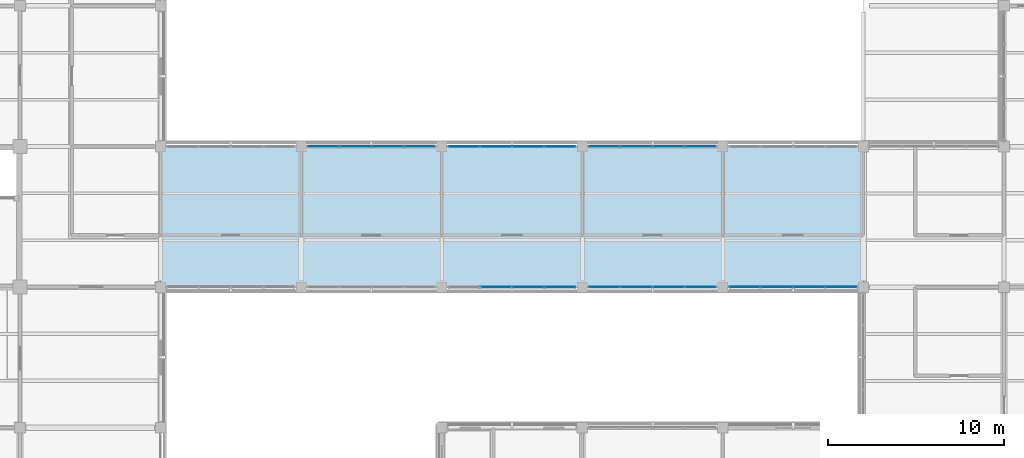
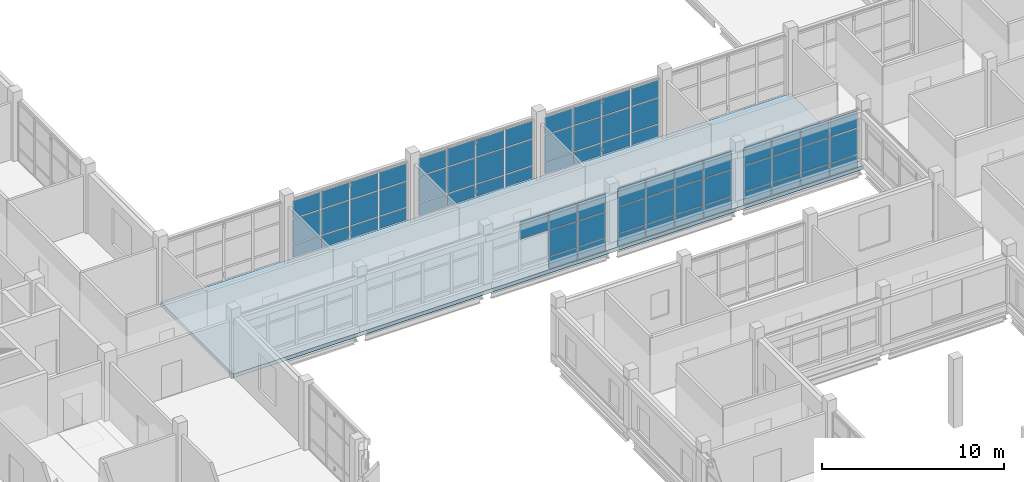
# One storey, part 70 of 121: 67 plates, 1 slab, 6 elements without a shape of their own.
"""IFC4 building model written with IfcOpenShell, lengths in metres."""

from ifc_helpers import new_model, si_unit, derived_unit, direction, frame, origin, origin_2d, place, context, subcontext, project, spatial, polyline, rectangle, outline, extrude, material, layer, layer_set, type_object, element, aggregate, save


model = new_model("IFC4")

# Units and contexts
model_context = context("Model", 3, precision=1e-05, world=origin(), true_north=direction((0.0, 1.0)))
body_context = subcontext(model_context, "Body", "Model", "MODEL_VIEW")
ifc_project = project(units=[si_unit("LENGTHUNIT", "METRE"), si_unit("AREAUNIT", "SQUARE_METRE"), si_unit("VOLUMEUNIT", "CUBIC_METRE"), si_unit("PLANEANGLEUNIT", "RADIAN"), si_unit("MASSUNIT", "GRAM", prefix="KILO"), derived_unit("THERMALTRANSMITTANCEUNIT", [(si_unit("MASSUNIT", "GRAM", prefix="KILO"), 1), (si_unit("TIMEUNIT", "SECOND"), -3), (si_unit("THERMODYNAMICTEMPERATUREUNIT", "KELVIN"), -1)])], contexts=[model_context])

# Site, building, storey
site_placement = place(None, origin())
site = spatial("IfcSite", under=ifc_project, at=site_placement, CompositionType="ELEMENT")
building_placement = place(site_placement, origin())
building = spatial("IfcBuilding", under=site, at=building_placement, Name="Veyamyaing Civic Hall", CompositionType="ELEMENT")
storey_placement = place(building_placement, frame((0.0, 0.0, 5.280029296875)))
storey = spatial("IfcBuildingStorey", under=building, at=storey_placement, Name="L01", CompositionType="ELEMENT", Elevation=5.280029296875)

# Curtain wall, plates
ifc_material_1 = material(Name="Anodised aluminium 6063-T6", Category="aluminium")
ifc_layer_1 = layer(ifc_material_1, 0.159912109375, Name="Anodised aluminium 6063-T6")
ifc_layer_set_1 = layer_set([ifc_layer_1], Name="Anodised aluminium 6063-T6")
curtain_wall_type = type_object("IfcCurtainWallType", Name="CW-02", PredefinedType="NOTDEFINED", material=ifc_layer_set_1)
curtain_wall_1_placement = place(storey_placement, origin())
curtain_wall_1 = element("IfcCurtainWall", 1, at=curtain_wall_1_placement, inside=storey, type_object=curtain_wall_type, Name="Unitized curtain wall CW-02 L01 N 17.7", PredefinedType="NOTDEFINED")
ifc_material_2 = material(Name="Low-E insulated glass", Category="glass")
ifc_layer_2 = layer(ifc_material_2, 0.028076171875, Name="Low-E insulated glass")
ifc_layer_set_2 = layer_set([ifc_layer_2], Name="Low-E insulated glass")
plate_type_1 = type_object("IfcPlateType", Name="CWP-01", PredefinedType="CURTAIN_PANEL", material=ifc_layer_set_2)
plate_1_placement = place(storey_placement, frame((129.263671875, 56.0, 0.06494140625), z_axis=(0.0, 0.0, 1.0), x_axis=(1.0, 0.0, 0.0)))
plate_1 = element("IfcPlate", 2, at=plate_1_placement, type_object=plate_type_1, Name="CW-02 panel 1.1", PredefinedType="CURTAIN_PANEL", context=body_context, shape_type="SweptSolid", body=[
    extrude(rectangle(XDim=1.737548828125, YDim=0.028076171875, at=origin_2d()), origin(), (0.0, 0.0, 1.0), 0.802490234375),
])
plate_2_placement = place(storey_placement, frame((129.263671875, 56.0, 0.932373046875), z_axis=(0.0, 0.0, 1.0), x_axis=(1.0, 0.0, 0.0)))
plate_2 = element("IfcPlate", 3, at=plate_2_placement, type_object=plate_type_1, Name="CW-02 panel 1.2", PredefinedType="CURTAIN_PANEL", context=body_context, shape_type="SweptSolid", body=[
    extrude(rectangle(XDim=1.737548828125, YDim=0.028076171875, at=origin_2d()), origin(), (0.0, 0.0, 1.0), 1.69384765625),
])
plate_3_placement = place(storey_placement, frame((129.263671875, 56.0, 2.691162109375), z_axis=(0.0, 0.0, 1.0), x_axis=(1.0, 0.0, 0.0)))
plate_3 = element("IfcPlate", 4, at=plate_3_placement, type_object=plate_type_1, Name="CW-02 panel 1.3", PredefinedType="CURTAIN_PANEL", context=body_context, shape_type="SweptSolid", body=[
    extrude(rectangle(XDim=1.737548828125, YDim=0.028076171875, at=origin_2d()), origin(), (0.0, 0.0, 1.0), 1.15380859375),
])
plate_4_placement = place(storey_placement, frame((131.08251953125, 56.0, 0.06494140625), z_axis=(0.0, 0.0, 1.0), x_axis=(1.0, 0.0, 0.0)))
plate_4 = element("IfcPlate", 5, at=plate_4_placement, type_object=plate_type_1, Name="CW-02 panel 2.1", PredefinedType="CURTAIN_PANEL", context=body_context, shape_type="SweptSolid", body=[
    extrude(rectangle(XDim=1.77001953125, YDim=0.028076171875, at=origin_2d()), origin(), (0.0, 0.0, 1.0), 0.802490234375),
])
plate_5_placement = place(storey_placement, frame((131.08251953125, 56.0, 0.932373046875), z_axis=(0.0, 0.0, 1.0), x_axis=(1.0, 0.0, 0.0)))
plate_5 = element("IfcPlate", 6, at=plate_5_placement, type_object=plate_type_1, Name="CW-02 panel 2.2", PredefinedType="CURTAIN_PANEL", context=body_context, shape_type="SweptSolid", body=[
    extrude(rectangle(XDim=1.77001953125, YDim=0.028076171875, at=origin_2d()), origin(), (0.0, 0.0, 1.0), 1.69384765625),
])
plate_6_placement = place(storey_placement, frame((131.08251953125, 56.0, 2.691162109375), z_axis=(0.0, 0.0, 1.0), x_axis=(1.0, 0.0, 0.0)))
plate_6 = element("IfcPlate", 7, at=plate_6_placement, type_object=plate_type_1, Name="CW-02 panel 2.3", PredefinedType="CURTAIN_PANEL", context=body_context, shape_type="SweptSolid", body=[
    extrude(rectangle(XDim=1.77001953125, YDim=0.028076171875, at=origin_2d()), origin(), (0.0, 0.0, 1.0), 1.15380859375),
])
plate_7_placement = place(storey_placement, frame((132.91748046875, 56.0, 0.06494140625), z_axis=(0.0, 0.0, 1.0), x_axis=(1.0, 0.0, 0.0)))
plate_7 = element("IfcPlate", 8, at=plate_7_placement, type_object=plate_type_1, Name="CW-02 panel 3.1", PredefinedType="CURTAIN_PANEL", context=body_context, shape_type="SweptSolid", body=[
    extrude(rectangle(XDim=1.77001953125, YDim=0.028076171875, at=origin_2d()), origin(), (0.0, 0.0, 1.0), 0.802490234375),
])
plate_8_placement = place(storey_placement, frame((132.91748046875, 56.0, 0.932373046875), z_axis=(0.0, 0.0, 1.0), x_axis=(1.0, 0.0, 0.0)))
plate_8 = element("IfcPlate", 9, at=plate_8_placement, type_object=plate_type_1, Name="CW-02 panel 3.2", PredefinedType="CURTAIN_PANEL", context=body_context, shape_type="SweptSolid", body=[
    extrude(rectangle(XDim=1.77001953125, YDim=0.028076171875, at=origin_2d()), origin(), (0.0, 0.0, 1.0), 1.69384765625),
])
plate_9_placement = place(storey_placement, frame((132.91748046875, 56.0, 2.691162109375), z_axis=(0.0, 0.0, 1.0), x_axis=(1.0, 0.0, 0.0)))
plate_9 = element("IfcPlate", 10, at=plate_9_placement, type_object=plate_type_1, Name="CW-02 panel 3.3", PredefinedType="CURTAIN_PANEL", context=body_context, shape_type="SweptSolid", body=[
    extrude(rectangle(XDim=1.77001953125, YDim=0.028076171875, at=origin_2d()), origin(), (0.0, 0.0, 1.0), 1.15380859375),
])
plate_10_placement = place(storey_placement, frame((134.736328125, 56.0, 0.06494140625), z_axis=(0.0, 0.0, 1.0), x_axis=(1.0, 0.0, 0.0)))
plate_10 = element("IfcPlate", 11, at=plate_10_placement, type_object=plate_type_1, Name="CW-02 panel 4.1", PredefinedType="CURTAIN_PANEL", context=body_context, shape_type="SweptSolid", body=[
    extrude(rectangle(XDim=1.737548828125, YDim=0.028076171875, at=origin_2d()), origin(), (0.0, 0.0, 1.0), 0.802490234375),
])
plate_11_placement = place(storey_placement, frame((134.736328125, 56.0, 0.932373046875), z_axis=(0.0, 0.0, 1.0), x_axis=(1.0, 0.0, 0.0)))
plate_11 = element("IfcPlate", 12, at=plate_11_placement, type_object=plate_type_1, Name="CW-02 panel 4.2", PredefinedType="CURTAIN_PANEL", context=body_context, shape_type="SweptSolid", body=[
    extrude(rectangle(XDim=1.737548828125, YDim=0.028076171875, at=origin_2d()), origin(), (0.0, 0.0, 1.0), 1.69384765625),
])
plate_12_placement = place(storey_placement, frame((134.736328125, 56.0, 2.691162109375), z_axis=(0.0, 0.0, 1.0), x_axis=(1.0, 0.0, 0.0)))
plate_12 = element("IfcPlate", 13, at=plate_12_placement, type_object=plate_type_1, Name="CW-02 panel 4.3", PredefinedType="CURTAIN_PANEL", context=body_context, shape_type="SweptSolid", body=[
    extrude(rectangle(XDim=1.737548828125, YDim=0.028076171875, at=origin_2d()), origin(), (0.0, 0.0, 1.0), 1.15380859375),
])
aggregate(curtain_wall_1, [plate_1, plate_2, plate_3, plate_4, plate_5, plate_6, plate_7, plate_8, plate_9, plate_10, plate_11, plate_12])

curtain_wall_2_placement = place(storey_placement, origin())
curtain_wall_2 = element("IfcCurtainWall", 14, at=curtain_wall_2_placement, inside=storey, type_object=curtain_wall_type, Name="Unitized curtain wall CW-02 L01 S 18.7", PredefinedType="NOTDEFINED")
ifc_layer_3 = layer(ifc_material_2, 0.031982421875, Name="Low-E insulated glass")
ifc_layer_set_3 = layer_set([ifc_layer_3], Name="Low-E insulated glass")
plate_type_2 = type_object("IfcPlateType", Name="CWP-02", PredefinedType="CURTAIN_PANEL", material=ifc_layer_set_3)
plate_13_placement = place(storey_placement, frame((139.08251953125, 48.0, 2.691162109375), z_axis=(0.0, 0.0, 1.0), x_axis=(1.0, 0.0, 0.0)))
plate_13 = element("IfcPlate", 15, at=plate_13_placement, type_object=plate_type_2, Name="CW-02 panel 2.3", PredefinedType="CURTAIN_PANEL", context=body_context, shape_type="SweptSolid", body=[
    extrude(rectangle(XDim=1.77001953125, YDim=0.031982421875, at=origin_2d()), origin(), (0.0, 0.0, 1.0), 1.15380859375),
])
plate_14_placement = place(storey_placement, frame((140.91748046875, 48.0, 0.06494140625), z_axis=(0.0, 0.0, 1.0), x_axis=(1.0, 0.0, 0.0)))
plate_14 = element("IfcPlate", 16, at=plate_14_placement, type_object=plate_type_2, Name="CW-02 panel 3.1", PredefinedType="CURTAIN_PANEL", context=body_context, shape_type="SweptSolid", body=[
    extrude(rectangle(XDim=1.77001953125, YDim=0.031982421875, at=origin_2d()), origin(), (0.0, 0.0, 1.0), 0.802490234375),
])
plate_15_placement = place(storey_placement, frame((140.91748046875, 48.0, 0.932373046875), z_axis=(0.0, 0.0, 1.0), x_axis=(1.0, 0.0, 0.0)))
plate_15 = element("IfcPlate", 17, at=plate_15_placement, type_object=plate_type_2, Name="CW-02 panel 3.2", PredefinedType="CURTAIN_PANEL", context=body_context, shape_type="SweptSolid", body=[
    extrude(rectangle(XDim=1.77001953125, YDim=0.031982421875, at=origin_2d()), origin(), (0.0, 0.0, 1.0), 1.69384765625),
])
plate_16_placement = place(storey_placement, frame((140.91748046875, 48.0, 2.691162109375), z_axis=(0.0, 0.0, 1.0), x_axis=(1.0, 0.0, 0.0)))
plate_16 = element("IfcPlate", 18, at=plate_16_placement, type_object=plate_type_2, Name="CW-02 panel 3.3", PredefinedType="CURTAIN_PANEL", context=body_context, shape_type="SweptSolid", body=[
    extrude(rectangle(XDim=1.77001953125, YDim=0.031982421875, at=origin_2d()), origin(), (0.0, 0.0, 1.0), 1.15380859375),
])
plate_17_placement = place(storey_placement, frame((142.736328125, 48.0, 0.06494140625), z_axis=(0.0, 0.0, 1.0), x_axis=(1.0, 0.0, 0.0)))
plate_17 = element("IfcPlate", 19, at=plate_17_placement, type_object=plate_type_2, Name="CW-02 panel 4.1", PredefinedType="CURTAIN_PANEL", context=body_context, shape_type="SweptSolid", body=[
    extrude(rectangle(XDim=1.737548828125, YDim=0.031982421875, at=origin_2d()), origin(), (0.0, 0.0, 1.0), 0.802490234375),
])
plate_18_placement = place(storey_placement, frame((142.736328125, 48.0, 0.932373046875), z_axis=(0.0, 0.0, 1.0), x_axis=(1.0, 0.0, 0.0)))
plate_18 = element("IfcPlate", 20, at=plate_18_placement, type_object=plate_type_2, Name="CW-02 panel 4.2", PredefinedType="CURTAIN_PANEL", context=body_context, shape_type="SweptSolid", body=[
    extrude(rectangle(XDim=1.737548828125, YDim=0.031982421875, at=origin_2d()), origin(), (0.0, 0.0, 1.0), 1.69384765625),
])
plate_19_placement = place(storey_placement, frame((142.736328125, 48.0, 2.691162109375), z_axis=(0.0, 0.0, 1.0), x_axis=(1.0, 0.0, 0.0)))
plate_19 = element("IfcPlate", 21, at=plate_19_placement, type_object=plate_type_2, Name="CW-02 panel 4.3", PredefinedType="CURTAIN_PANEL", context=body_context, shape_type="SweptSolid", body=[
    extrude(rectangle(XDim=1.737548828125, YDim=0.031982421875, at=origin_2d()), origin(), (0.0, 0.0, 1.0), 1.15380859375),
])
aggregate(curtain_wall_2, [plate_13, plate_14, plate_15, plate_16, plate_17, plate_18, plate_19])

curtain_wall_3_placement = place(storey_placement, origin())
curtain_wall_3 = element("IfcCurtainWall", 22, at=curtain_wall_3_placement, inside=storey, type_object=curtain_wall_type, Name="Unitized curtain wall CW-02 L01 N 18.7", PredefinedType="NOTDEFINED")
plate_20_placement = place(storey_placement, frame((137.263671875, 56.0, 0.06494140625), z_axis=(0.0, 0.0, 1.0), x_axis=(1.0, 0.0, 0.0)))
plate_20 = element("IfcPlate", 23, at=plate_20_placement, type_object=plate_type_2, Name="CW-02 panel 1.1", PredefinedType="CURTAIN_PANEL", context=body_context, shape_type="SweptSolid", body=[
    extrude(rectangle(XDim=1.737548828125, YDim=0.031982421875, at=origin_2d()), origin(), (0.0, 0.0, 1.0), 0.802490234375),
])
plate_21_placement = place(storey_placement, frame((137.263671875, 56.0, 0.932373046875), z_axis=(0.0, 0.0, 1.0), x_axis=(1.0, 0.0, 0.0)))
plate_21 = element("IfcPlate", 24, at=plate_21_placement, type_object=plate_type_2, Name="CW-02 panel 1.2", PredefinedType="CURTAIN_PANEL", context=body_context, shape_type="SweptSolid", body=[
    extrude(rectangle(XDim=1.737548828125, YDim=0.031982421875, at=origin_2d()), origin(), (0.0, 0.0, 1.0), 1.7373046875),
])
plate_22_placement = place(storey_placement, frame((137.263671875, 56.0, 2.734619140625), z_axis=(0.0, 0.0, 1.0), x_axis=(1.0, 0.0, 0.0)))
plate_22 = element("IfcPlate", 25, at=plate_22_placement, type_object=plate_type_2, Name="CW-02 panel 1.3", PredefinedType="CURTAIN_PANEL", context=body_context, shape_type="SweptSolid", body=[
    extrude(rectangle(XDim=1.737548828125, YDim=0.031982421875, at=origin_2d()), origin(), (0.0, 0.0, 1.0), 1.17431640625),
])
plate_23_placement = place(storey_placement, frame((139.08251953125, 56.0, 0.06494140625), z_axis=(0.0, 0.0, 1.0), x_axis=(1.0, 0.0, 0.0)))
plate_23 = element("IfcPlate", 26, at=plate_23_placement, type_object=plate_type_2, Name="CW-02 panel 2.1", PredefinedType="CURTAIN_PANEL", context=body_context, shape_type="SweptSolid", body=[
    extrude(rectangle(XDim=1.77001953125, YDim=0.031982421875, at=origin_2d()), origin(), (0.0, 0.0, 1.0), 0.802490234375),
])
plate_24_placement = place(storey_placement, frame((139.08251953125, 56.0, 0.932373046875), z_axis=(0.0, 0.0, 1.0), x_axis=(1.0, 0.0, 0.0)))
plate_24 = element("IfcPlate", 27, at=plate_24_placement, type_object=plate_type_2, Name="CW-02 panel 2.2", PredefinedType="CURTAIN_PANEL", context=body_context, shape_type="SweptSolid", body=[
    extrude(rectangle(XDim=1.77001953125, YDim=0.031982421875, at=origin_2d()), origin(), (0.0, 0.0, 1.0), 1.7373046875),
])
plate_25_placement = place(storey_placement, frame((139.08251953125, 56.0, 2.734619140625), z_axis=(0.0, 0.0, 1.0), x_axis=(1.0, 0.0, 0.0)))
plate_25 = element("IfcPlate", 28, at=plate_25_placement, type_object=plate_type_2, Name="CW-02 panel 2.3", PredefinedType="CURTAIN_PANEL", context=body_context, shape_type="SweptSolid", body=[
    extrude(rectangle(XDim=1.77001953125, YDim=0.031982421875, at=origin_2d()), origin(), (0.0, 0.0, 1.0), 1.17431640625),
])
plate_26_placement = place(storey_placement, frame((140.91748046875, 56.0, 0.06494140625), z_axis=(0.0, 0.0, 1.0), x_axis=(1.0, 0.0, 0.0)))
plate_26 = element("IfcPlate", 29, at=plate_26_placement, type_object=plate_type_2, Name="CW-02 panel 3.1", PredefinedType="CURTAIN_PANEL", context=body_context, shape_type="SweptSolid", body=[
    extrude(rectangle(XDim=1.77001953125, YDim=0.031982421875, at=origin_2d()), origin(), (0.0, 0.0, 1.0), 0.802490234375),
])
plate_27_placement = place(storey_placement, frame((140.91748046875, 56.0, 0.932373046875), z_axis=(0.0, 0.0, 1.0), x_axis=(1.0, 0.0, 0.0)))
plate_27 = element("IfcPlate", 30, at=plate_27_placement, type_object=plate_type_2, Name="CW-02 panel 3.2", PredefinedType="CURTAIN_PANEL", context=body_context, shape_type="SweptSolid", body=[
    extrude(rectangle(XDim=1.77001953125, YDim=0.031982421875, at=origin_2d()), origin(), (0.0, 0.0, 1.0), 1.7373046875),
])
plate_28_placement = place(storey_placement, frame((140.91748046875, 56.0, 2.734619140625), z_axis=(0.0, 0.0, 1.0), x_axis=(1.0, 0.0, 0.0)))
plate_28 = element("IfcPlate", 31, at=plate_28_placement, type_object=plate_type_2, Name="CW-02 panel 3.3", PredefinedType="CURTAIN_PANEL", context=body_context, shape_type="SweptSolid", body=[
    extrude(rectangle(XDim=1.77001953125, YDim=0.031982421875, at=origin_2d()), origin(), (0.0, 0.0, 1.0), 1.17431640625),
])
plate_29_placement = place(storey_placement, frame((142.736328125, 56.0, 0.06494140625), z_axis=(0.0, 0.0, 1.0), x_axis=(1.0, 0.0, 0.0)))
plate_29 = element("IfcPlate", 32, at=plate_29_placement, type_object=plate_type_2, Name="CW-02 panel 4.1", PredefinedType="CURTAIN_PANEL", context=body_context, shape_type="SweptSolid", body=[
    extrude(rectangle(XDim=1.737548828125, YDim=0.031982421875, at=origin_2d()), origin(), (0.0, 0.0, 1.0), 0.802490234375),
])
plate_30_placement = place(storey_placement, frame((142.736328125, 56.0, 0.932373046875), z_axis=(0.0, 0.0, 1.0), x_axis=(1.0, 0.0, 0.0)))
plate_30 = element("IfcPlate", 33, at=plate_30_placement, type_object=plate_type_2, Name="CW-02 panel 4.2", PredefinedType="CURTAIN_PANEL", context=body_context, shape_type="SweptSolid", body=[
    extrude(rectangle(XDim=1.737548828125, YDim=0.031982421875, at=origin_2d()), origin(), (0.0, 0.0, 1.0), 1.7373046875),
])
plate_31_placement = place(storey_placement, frame((142.736328125, 56.0, 2.734619140625), z_axis=(0.0, 0.0, 1.0), x_axis=(1.0, 0.0, 0.0)))
plate_31 = element("IfcPlate", 34, at=plate_31_placement, type_object=plate_type_2, Name="CW-02 panel 4.3", PredefinedType="CURTAIN_PANEL", context=body_context, shape_type="SweptSolid", body=[
    extrude(rectangle(XDim=1.737548828125, YDim=0.031982421875, at=origin_2d()), origin(), (0.0, 0.0, 1.0), 1.17431640625),
])
aggregate(curtain_wall_3, [plate_20, plate_21, plate_22, plate_23, plate_24, plate_25, plate_26, plate_27, plate_28, plate_29, plate_30, plate_31])

curtain_wall_4_placement = place(storey_placement, origin())
curtain_wall_4 = element("IfcCurtainWall", 35, at=curtain_wall_4_placement, inside=storey, type_object=curtain_wall_type, Name="Unitized curtain wall CW-02 L01 S 19.7", PredefinedType="NOTDEFINED")
ifc_layer_4 = layer(ifc_material_2, 0.035888671875, Name="Low-E insulated glass")
ifc_layer_set_4 = layer_set([ifc_layer_4], Name="Low-E insulated glass")
plate_type_3 = type_object("IfcPlateType", Name="CWP-03", PredefinedType="CURTAIN_PANEL", material=ifc_layer_set_4)
plate_32_placement = place(storey_placement, frame((145.263671875, 48.0, 0.06494140625), z_axis=(0.0, 0.0, 1.0), x_axis=(1.0, 0.0, 0.0)))
plate_32 = element("IfcPlate", 36, at=plate_32_placement, type_object=plate_type_3, Name="CW-02 panel 1.1", PredefinedType="CURTAIN_PANEL", context=body_context, shape_type="SweptSolid", body=[
    extrude(rectangle(XDim=1.737548828125, YDim=0.035888671875, at=origin_2d()), origin(), (0.0, 0.0, 1.0), 0.802490234375),
])
plate_33_placement = place(storey_placement, frame((145.263671875, 48.0, 0.932373046875), z_axis=(0.0, 0.0, 1.0), x_axis=(1.0, 0.0, 0.0)))
plate_33 = element("IfcPlate", 37, at=plate_33_placement, type_object=plate_type_3, Name="CW-02 panel 1.2", PredefinedType="CURTAIN_PANEL", context=body_context, shape_type="SweptSolid", body=[
    extrude(rectangle(XDim=1.737548828125, YDim=0.035888671875, at=origin_2d()), origin(), (0.0, 0.0, 1.0), 1.7373046875),
])
plate_34_placement = place(storey_placement, frame((145.263671875, 48.0, 2.734619140625), z_axis=(0.0, 0.0, 1.0), x_axis=(1.0, 0.0, 0.0)))
plate_34 = element("IfcPlate", 38, at=plate_34_placement, type_object=plate_type_3, Name="CW-02 panel 1.3", PredefinedType="CURTAIN_PANEL", context=body_context, shape_type="SweptSolid", body=[
    extrude(rectangle(XDim=1.737548828125, YDim=0.035888671875, at=origin_2d()), origin(), (0.0, 0.0, 1.0), 1.17431640625),
])
plate_35_placement = place(storey_placement, frame((147.08251953125, 48.0, 0.06494140625), z_axis=(0.0, 0.0, 1.0), x_axis=(1.0, 0.0, 0.0)))
plate_35 = element("IfcPlate", 39, at=plate_35_placement, type_object=plate_type_3, Name="CW-02 panel 2.1", PredefinedType="CURTAIN_PANEL", context=body_context, shape_type="SweptSolid", body=[
    extrude(rectangle(XDim=1.77001953125, YDim=0.035888671875, at=origin_2d()), origin(), (0.0, 0.0, 1.0), 0.802490234375),
])
plate_36_placement = place(storey_placement, frame((147.08251953125, 48.0, 0.932373046875), z_axis=(0.0, 0.0, 1.0), x_axis=(1.0, 0.0, 0.0)))
plate_36 = element("IfcPlate", 40, at=plate_36_placement, type_object=plate_type_3, Name="CW-02 panel 2.2", PredefinedType="CURTAIN_PANEL", context=body_context, shape_type="SweptSolid", body=[
    extrude(rectangle(XDim=1.77001953125, YDim=0.035888671875, at=origin_2d()), origin(), (0.0, 0.0, 1.0), 1.7373046875),
])
plate_37_placement = place(storey_placement, frame((147.08251953125, 48.0, 2.734619140625), z_axis=(0.0, 0.0, 1.0), x_axis=(1.0, 0.0, 0.0)))
plate_37 = element("IfcPlate", 41, at=plate_37_placement, type_object=plate_type_3, Name="CW-02 panel 2.3", PredefinedType="CURTAIN_PANEL", context=body_context, shape_type="SweptSolid", body=[
    extrude(rectangle(XDim=1.77001953125, YDim=0.035888671875, at=origin_2d()), origin(), (0.0, 0.0, 1.0), 1.17431640625),
])
plate_38_placement = place(storey_placement, frame((148.91748046875, 48.0, 0.06494140625), z_axis=(0.0, 0.0, 1.0), x_axis=(1.0, 0.0, 0.0)))
plate_38 = element("IfcPlate", 42, at=plate_38_placement, type_object=plate_type_3, Name="CW-02 panel 3.1", PredefinedType="CURTAIN_PANEL", context=body_context, shape_type="SweptSolid", body=[
    extrude(rectangle(XDim=1.77001953125, YDim=0.035888671875, at=origin_2d()), origin(), (0.0, 0.0, 1.0), 0.802490234375),
])
plate_39_placement = place(storey_placement, frame((148.91748046875, 48.0, 0.932373046875), z_axis=(0.0, 0.0, 1.0), x_axis=(1.0, 0.0, 0.0)))
plate_39 = element("IfcPlate", 43, at=plate_39_placement, type_object=plate_type_3, Name="CW-02 panel 3.2", PredefinedType="CURTAIN_PANEL", context=body_context, shape_type="SweptSolid", body=[
    extrude(rectangle(XDim=1.77001953125, YDim=0.035888671875, at=origin_2d()), origin(), (0.0, 0.0, 1.0), 1.7373046875),
])
plate_40_placement = place(storey_placement, frame((148.91748046875, 48.0, 2.734619140625), z_axis=(0.0, 0.0, 1.0), x_axis=(1.0, 0.0, 0.0)))
plate_40 = element("IfcPlate", 44, at=plate_40_placement, type_object=plate_type_3, Name="CW-02 panel 3.3", PredefinedType="CURTAIN_PANEL", context=body_context, shape_type="SweptSolid", body=[
    extrude(rectangle(XDim=1.77001953125, YDim=0.035888671875, at=origin_2d()), origin(), (0.0, 0.0, 1.0), 1.17431640625),
])
plate_41_placement = place(storey_placement, frame((150.736328125, 48.0, 0.06494140625), z_axis=(0.0, 0.0, 1.0), x_axis=(1.0, 0.0, 0.0)))
plate_41 = element("IfcPlate", 45, at=plate_41_placement, type_object=plate_type_3, Name="CW-02 panel 4.1", PredefinedType="CURTAIN_PANEL", context=body_context, shape_type="SweptSolid", body=[
    extrude(rectangle(XDim=1.737548828125, YDim=0.035888671875, at=origin_2d()), origin(), (0.0, 0.0, 1.0), 0.802490234375),
])
plate_42_placement = place(storey_placement, frame((150.736328125, 48.0, 0.932373046875), z_axis=(0.0, 0.0, 1.0), x_axis=(1.0, 0.0, 0.0)))
plate_42 = element("IfcPlate", 46, at=plate_42_placement, type_object=plate_type_3, Name="CW-02 panel 4.2", PredefinedType="CURTAIN_PANEL", context=body_context, shape_type="SweptSolid", body=[
    extrude(rectangle(XDim=1.737548828125, YDim=0.035888671875, at=origin_2d()), origin(), (0.0, 0.0, 1.0), 1.7373046875),
])
plate_43_placement = place(storey_placement, frame((150.736328125, 48.0, 2.734619140625), z_axis=(0.0, 0.0, 1.0), x_axis=(1.0, 0.0, 0.0)))
plate_43 = element("IfcPlate", 47, at=plate_43_placement, type_object=plate_type_3, Name="CW-02 panel 4.3", PredefinedType="CURTAIN_PANEL", context=body_context, shape_type="SweptSolid", body=[
    extrude(rectangle(XDim=1.737548828125, YDim=0.035888671875, at=origin_2d()), origin(), (0.0, 0.0, 1.0), 1.17431640625),
])
aggregate(curtain_wall_4, [plate_32, plate_33, plate_34, plate_35, plate_36, plate_37, plate_38, plate_39, plate_40, plate_41, plate_42, plate_43])

curtain_wall_5_placement = place(storey_placement, origin())
curtain_wall_5 = element("IfcCurtainWall", 48, at=curtain_wall_5_placement, inside=storey, type_object=curtain_wall_type, Name="Unitized curtain wall CW-02 L01 N 19.7", PredefinedType="NOTDEFINED")
plate_44_placement = place(storey_placement, frame((145.263671875, 56.0, 0.06494140625), z_axis=(0.0, 0.0, 1.0), x_axis=(1.0, 0.0, 0.0)))
plate_44 = element("IfcPlate", 49, at=plate_44_placement, type_object=plate_type_3, Name="CW-02 panel 1.1", PredefinedType="CURTAIN_PANEL", context=body_context, shape_type="SweptSolid", body=[
    extrude(rectangle(XDim=1.737548828125, YDim=0.035888671875, at=origin_2d()), origin(), (0.0, 0.0, 1.0), 0.802490234375),
])
plate_45_placement = place(storey_placement, frame((145.263671875, 56.0, 0.9326171875), z_axis=(0.0, 0.0, 1.0), x_axis=(1.0, 0.0, 0.0)))
plate_45 = element("IfcPlate", 50, at=plate_45_placement, type_object=plate_type_3, Name="CW-02 panel 1.2", PredefinedType="CURTAIN_PANEL", context=body_context, shape_type="SweptSolid", body=[
    extrude(rectangle(XDim=1.737548828125, YDim=0.035888671875, at=origin_2d()), origin(), (0.0, 0.0, 1.0), 1.696533203125),
])
plate_46_placement = place(storey_placement, frame((145.263671875, 56.0, 2.69384765625), z_axis=(0.0, 0.0, 1.0), x_axis=(1.0, 0.0, 0.0)))
plate_46 = element("IfcPlate", 51, at=plate_46_placement, type_object=plate_type_3, Name="CW-02 panel 1.3", PredefinedType="CURTAIN_PANEL", context=body_context, shape_type="SweptSolid", body=[
    extrude(rectangle(XDim=1.737548828125, YDim=0.035888671875, at=origin_2d()), origin(), (0.0, 0.0, 1.0), 1.155029296875),
])
plate_47_placement = place(storey_placement, frame((147.08251953125, 56.0, 0.06494140625), z_axis=(0.0, 0.0, 1.0), x_axis=(1.0, 0.0, 0.0)))
plate_47 = element("IfcPlate", 52, at=plate_47_placement, type_object=plate_type_3, Name="CW-02 panel 2.1", PredefinedType="CURTAIN_PANEL", context=body_context, shape_type="SweptSolid", body=[
    extrude(rectangle(XDim=1.77001953125, YDim=0.035888671875, at=origin_2d()), origin(), (0.0, 0.0, 1.0), 0.802490234375),
])
plate_48_placement = place(storey_placement, frame((147.08251953125, 56.0, 0.9326171875), z_axis=(0.0, 0.0, 1.0), x_axis=(1.0, 0.0, 0.0)))
plate_48 = element("IfcPlate", 53, at=plate_48_placement, type_object=plate_type_3, Name="CW-02 panel 2.2", PredefinedType="CURTAIN_PANEL", context=body_context, shape_type="SweptSolid", body=[
    extrude(rectangle(XDim=1.77001953125, YDim=0.035888671875, at=origin_2d()), origin(), (0.0, 0.0, 1.0), 1.696533203125),
])
plate_49_placement = place(storey_placement, frame((147.08251953125, 56.0, 2.69384765625), z_axis=(0.0, 0.0, 1.0), x_axis=(1.0, 0.0, 0.0)))
plate_49 = element("IfcPlate", 54, at=plate_49_placement, type_object=plate_type_3, Name="CW-02 panel 2.3", PredefinedType="CURTAIN_PANEL", context=body_context, shape_type="SweptSolid", body=[
    extrude(rectangle(XDim=1.77001953125, YDim=0.035888671875, at=origin_2d()), origin(), (0.0, 0.0, 1.0), 1.155029296875),
])
plate_50_placement = place(storey_placement, frame((148.91748046875, 56.0, 0.06494140625), z_axis=(0.0, 0.0, 1.0), x_axis=(1.0, 0.0, 0.0)))
plate_50 = element("IfcPlate", 55, at=plate_50_placement, type_object=plate_type_3, Name="CW-02 panel 3.1", PredefinedType="CURTAIN_PANEL", context=body_context, shape_type="SweptSolid", body=[
    extrude(rectangle(XDim=1.77001953125, YDim=0.035888671875, at=origin_2d()), origin(), (0.0, 0.0, 1.0), 0.802490234375),
])
plate_51_placement = place(storey_placement, frame((148.91748046875, 56.0, 0.9326171875), z_axis=(0.0, 0.0, 1.0), x_axis=(1.0, 0.0, 0.0)))
plate_51 = element("IfcPlate", 56, at=plate_51_placement, type_object=plate_type_3, Name="CW-02 panel 3.2", PredefinedType="CURTAIN_PANEL", context=body_context, shape_type="SweptSolid", body=[
    extrude(rectangle(XDim=1.77001953125, YDim=0.035888671875, at=origin_2d()), origin(), (0.0, 0.0, 1.0), 1.696533203125),
])
plate_52_placement = place(storey_placement, frame((148.91748046875, 56.0, 2.69384765625), z_axis=(0.0, 0.0, 1.0), x_axis=(1.0, 0.0, 0.0)))
plate_52 = element("IfcPlate", 57, at=plate_52_placement, type_object=plate_type_3, Name="CW-02 panel 3.3", PredefinedType="CURTAIN_PANEL", context=body_context, shape_type="SweptSolid", body=[
    extrude(rectangle(XDim=1.77001953125, YDim=0.035888671875, at=origin_2d()), origin(), (0.0, 0.0, 1.0), 1.155029296875),
])
plate_53_placement = place(storey_placement, frame((150.736328125, 56.0, 0.06494140625), z_axis=(0.0, 0.0, 1.0), x_axis=(1.0, 0.0, 0.0)))
plate_53 = element("IfcPlate", 58, at=plate_53_placement, type_object=plate_type_3, Name="CW-02 panel 4.1", PredefinedType="CURTAIN_PANEL", context=body_context, shape_type="SweptSolid", body=[
    extrude(rectangle(XDim=1.737548828125, YDim=0.035888671875, at=origin_2d()), origin(), (0.0, 0.0, 1.0), 0.802490234375),
])
plate_54_placement = place(storey_placement, frame((150.736328125, 56.0, 0.9326171875), z_axis=(0.0, 0.0, 1.0), x_axis=(1.0, 0.0, 0.0)))
plate_54 = element("IfcPlate", 59, at=plate_54_placement, type_object=plate_type_3, Name="CW-02 panel 4.2", PredefinedType="CURTAIN_PANEL", context=body_context, shape_type="SweptSolid", body=[
    extrude(rectangle(XDim=1.737548828125, YDim=0.035888671875, at=origin_2d()), origin(), (0.0, 0.0, 1.0), 1.696533203125),
])
plate_55_placement = place(storey_placement, frame((150.736328125, 56.0, 2.69384765625), z_axis=(0.0, 0.0, 1.0), x_axis=(1.0, 0.0, 0.0)))
plate_55 = element("IfcPlate", 60, at=plate_55_placement, type_object=plate_type_3, Name="CW-02 panel 4.3", PredefinedType="CURTAIN_PANEL", context=body_context, shape_type="SweptSolid", body=[
    extrude(rectangle(XDim=1.737548828125, YDim=0.035888671875, at=origin_2d()), origin(), (0.0, 0.0, 1.0), 1.155029296875),
])
aggregate(curtain_wall_5, [plate_44, plate_45, plate_46, plate_47, plate_48, plate_49, plate_50, plate_51, plate_52, plate_53, plate_54, plate_55])

curtain_wall_6_placement = place(storey_placement, origin())
curtain_wall_6 = element("IfcCurtainWall", 61, at=curtain_wall_6_placement, inside=storey, type_object=curtain_wall_type, Name="Unitized curtain wall CW-02 L01 S 20.7", PredefinedType="NOTDEFINED")
ifc_layer_5 = layer(ifc_material_2, 0.02392578125, Name="Low-E insulated glass")
ifc_layer_set_5 = layer_set([ifc_layer_5], Name="Low-E insulated glass")
plate_type_4 = type_object("IfcPlateType", Name="CWP-04", PredefinedType="CURTAIN_PANEL", material=ifc_layer_set_5)
plate_56_placement = place(storey_placement, frame((153.263671875, 48.0, 0.06494140625), z_axis=(0.0, 0.0, 1.0), x_axis=(1.0, 0.0, 0.0)))
plate_56 = element("IfcPlate", 62, at=plate_56_placement, type_object=plate_type_4, Name="CW-02 panel 1.1", PredefinedType="CURTAIN_PANEL", context=body_context, shape_type="SweptSolid", body=[
    extrude(rectangle(XDim=1.737548828125, YDim=0.02392578125, at=origin_2d()), origin(), (0.0, 0.0, 1.0), 0.802490234375),
])
plate_57_placement = place(storey_placement, frame((153.263671875, 48.0, 0.9326171875), z_axis=(0.0, 0.0, 1.0), x_axis=(1.0, 0.0, 0.0)))
plate_57 = element("IfcPlate", 63, at=plate_57_placement, type_object=plate_type_4, Name="CW-02 panel 1.2", PredefinedType="CURTAIN_PANEL", context=body_context, shape_type="SweptSolid", body=[
    extrude(rectangle(XDim=1.737548828125, YDim=0.02392578125, at=origin_2d()), origin(), (0.0, 0.0, 1.0), 1.696533203125),
])
plate_58_placement = place(storey_placement, frame((153.263671875, 48.0, 2.69384765625), z_axis=(0.0, 0.0, 1.0), x_axis=(1.0, 0.0, 0.0)))
plate_58 = element("IfcPlate", 64, at=plate_58_placement, type_object=plate_type_4, Name="CW-02 panel 1.3", PredefinedType="CURTAIN_PANEL", context=body_context, shape_type="SweptSolid", body=[
    extrude(rectangle(XDim=1.737548828125, YDim=0.02392578125, at=origin_2d()), origin(), (0.0, 0.0, 1.0), 1.155029296875),
])
plate_59_placement = place(storey_placement, frame((155.08251953125, 48.0, 0.06494140625), z_axis=(0.0, 0.0, 1.0), x_axis=(1.0, 0.0, 0.0)))
plate_59 = element("IfcPlate", 65, at=plate_59_placement, type_object=plate_type_4, Name="CW-02 panel 2.1", PredefinedType="CURTAIN_PANEL", context=body_context, shape_type="SweptSolid", body=[
    extrude(rectangle(XDim=1.77001953125, YDim=0.02392578125, at=origin_2d()), origin(), (0.0, 0.0, 1.0), 0.802490234375),
])
plate_60_placement = place(storey_placement, frame((155.08251953125, 48.0, 0.9326171875), z_axis=(0.0, 0.0, 1.0), x_axis=(1.0, 0.0, 0.0)))
plate_60 = element("IfcPlate", 66, at=plate_60_placement, type_object=plate_type_4, Name="CW-02 panel 2.2", PredefinedType="CURTAIN_PANEL", context=body_context, shape_type="SweptSolid", body=[
    extrude(rectangle(XDim=1.77001953125, YDim=0.02392578125, at=origin_2d()), origin(), (0.0, 0.0, 1.0), 1.696533203125),
])
plate_61_placement = place(storey_placement, frame((155.08251953125, 48.0, 2.69384765625), z_axis=(0.0, 0.0, 1.0), x_axis=(1.0, 0.0, 0.0)))
plate_61 = element("IfcPlate", 67, at=plate_61_placement, type_object=plate_type_4, Name="CW-02 panel 2.3", PredefinedType="CURTAIN_PANEL", context=body_context, shape_type="SweptSolid", body=[
    extrude(rectangle(XDim=1.77001953125, YDim=0.02392578125, at=origin_2d()), origin(), (0.0, 0.0, 1.0), 1.155029296875),
])
plate_62_placement = place(storey_placement, frame((156.91748046875, 48.0, 0.06494140625), z_axis=(0.0, 0.0, 1.0), x_axis=(1.0, 0.0, 0.0)))
plate_62 = element("IfcPlate", 68, at=plate_62_placement, type_object=plate_type_4, Name="CW-02 panel 3.1", PredefinedType="CURTAIN_PANEL", context=body_context, shape_type="SweptSolid", body=[
    extrude(rectangle(XDim=1.77001953125, YDim=0.02392578125, at=origin_2d()), origin(), (0.0, 0.0, 1.0), 0.802490234375),
])
plate_63_placement = place(storey_placement, frame((156.91748046875, 48.0, 0.9326171875), z_axis=(0.0, 0.0, 1.0), x_axis=(1.0, 0.0, 0.0)))
plate_63 = element("IfcPlate", 69, at=plate_63_placement, type_object=plate_type_4, Name="CW-02 panel 3.2", PredefinedType="CURTAIN_PANEL", context=body_context, shape_type="SweptSolid", body=[
    extrude(rectangle(XDim=1.77001953125, YDim=0.02392578125, at=origin_2d()), origin(), (0.0, 0.0, 1.0), 1.696533203125),
])
plate_64_placement = place(storey_placement, frame((156.91748046875, 48.0, 2.69384765625), z_axis=(0.0, 0.0, 1.0), x_axis=(1.0, 0.0, 0.0)))
plate_64 = element("IfcPlate", 70, at=plate_64_placement, type_object=plate_type_4, Name="CW-02 panel 3.3", PredefinedType="CURTAIN_PANEL", context=body_context, shape_type="SweptSolid", body=[
    extrude(rectangle(XDim=1.77001953125, YDim=0.02392578125, at=origin_2d()), origin(), (0.0, 0.0, 1.0), 1.155029296875),
])
plate_65_placement = place(storey_placement, frame((158.736328125, 48.0, 0.06494140625), z_axis=(0.0, 0.0, 1.0), x_axis=(1.0, 0.0, 0.0)))
plate_65 = element("IfcPlate", 71, at=plate_65_placement, type_object=plate_type_4, Name="CW-02 panel 4.1", PredefinedType="CURTAIN_PANEL", context=body_context, shape_type="SweptSolid", body=[
    extrude(rectangle(XDim=1.737548828125, YDim=0.02392578125, at=origin_2d()), origin(), (0.0, 0.0, 1.0), 0.802490234375),
])
plate_66_placement = place(storey_placement, frame((158.736328125, 48.0, 0.9326171875), z_axis=(0.0, 0.0, 1.0), x_axis=(1.0, 0.0, 0.0)))
plate_66 = element("IfcPlate", 72, at=plate_66_placement, type_object=plate_type_4, Name="CW-02 panel 4.2", PredefinedType="CURTAIN_PANEL", context=body_context, shape_type="SweptSolid", body=[
    extrude(rectangle(XDim=1.737548828125, YDim=0.02392578125, at=origin_2d()), origin(), (0.0, 0.0, 1.0), 1.696533203125),
])
plate_67_placement = place(storey_placement, frame((158.736328125, 48.0, 2.69384765625), z_axis=(0.0, 0.0, 1.0), x_axis=(1.0, 0.0, 0.0)))
plate_67 = element("IfcPlate", 73, at=plate_67_placement, type_object=plate_type_4, Name="CW-02 panel 4.3", PredefinedType="CURTAIN_PANEL", context=body_context, shape_type="SweptSolid", body=[
    extrude(rectangle(XDim=1.737548828125, YDim=0.02392578125, at=origin_2d()), origin(), (0.0, 0.0, 1.0), 1.155029296875),
])
aggregate(curtain_wall_6, [plate_56, plate_57, plate_58, plate_59, plate_60, plate_61, plate_62, plate_63, plate_64, plate_65, plate_66, plate_67])

# Slab
ifc_material_3 = material(Name="Concrete C40/50", Category="concrete")
ifc_layer_6 = layer(ifc_material_3, 0.2451171875, Name="Concrete C40/50")
ifc_layer_set_6 = layer_set([ifc_layer_6], Name="Concrete C40/50")
slab_type = type_object("IfcSlabType", Name="SL-03", PredefinedType="FLOOR", material=ifc_layer_set_6)
slab_placement = place(storey_placement, frame((0.0, 0.0, -0.2451171875)))
element("IfcSlab", 74, at=slab_placement, inside=storey, type_object=slab_type, Name="Floor slab SL-03 L01 LNKE.1", PredefinedType="FLOOR", context=body_context, shape_type="SweptSolid", body=[
    extrude(outline(polyline([(120.0, 56.0), (160.0, 56.0), (160.0, 48.0), (120.0, 48.0), (120.0, 56.0)])), origin(), (0.0, 0.0, 1.0), 0.2451171875),
])

save(model, "model.ifc")
